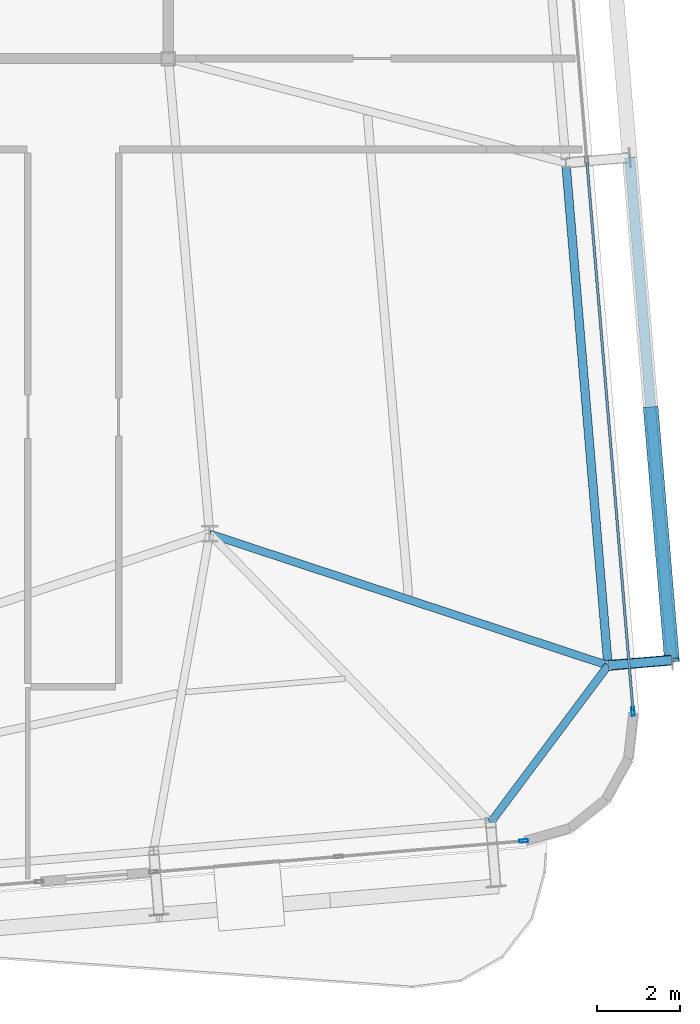
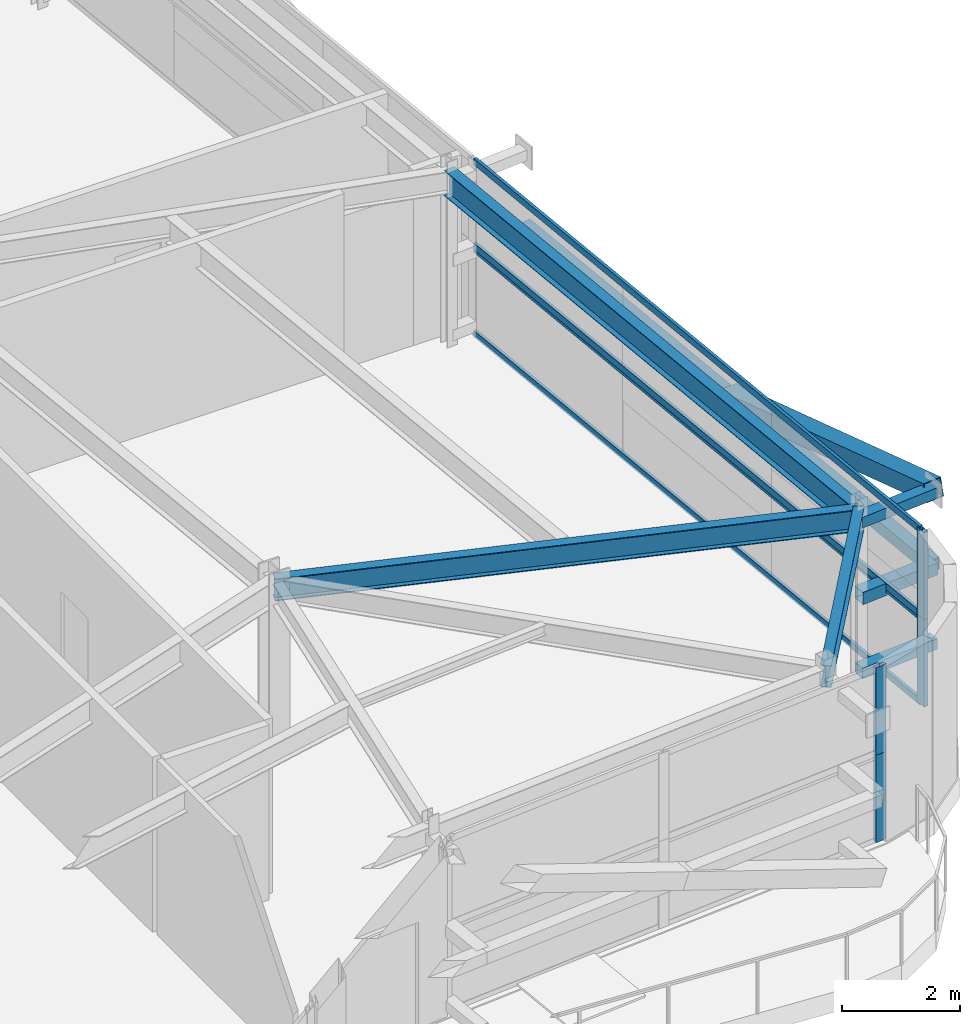
# One storey, part 16 of 38: 13 members, 3 beams, 4 elements without a shape of their own.
"""IFC4 building model written with IfcOpenShell, lengths in metres."""

from ifc_helpers import new_model, si_unit, direction, frame, origin, origin_2d, place, context, subcontext, project, spatial, hollow_rectangle, i_section, extrude, source, transform, mapped, material, layer, layer_set, material_profile, profile_set, type_object, element, aggregate, save


model = new_model("IFC4")

# Units and contexts
model_context = context("Model", 3, precision=1e-05, world=origin(), true_north=direction((0.0, 1.0)))
body_context = subcontext(model_context, "Body", "Model", "MODEL_VIEW")
ifc_project = project(units=[si_unit("LENGTHUNIT", "METRE"), si_unit("AREAUNIT", "SQUARE_METRE"), si_unit("VOLUMEUNIT", "CUBIC_METRE"), si_unit("PLANEANGLEUNIT", "RADIAN"), si_unit("MASSUNIT", "GRAM", prefix="KILO")], contexts=[model_context])

# Site, building, storey
site_placement = place(None, origin())
site = spatial("IfcSite", under=ifc_project, at=site_placement, CompositionType="ELEMENT")
building_placement = place(site_placement, origin())
building = spatial("IfcBuilding", under=site, at=building_placement, Name="Taldren Reach Tower", CompositionType="ELEMENT")
storey_placement = place(building_placement, frame((0.0, 0.0, 168.699951171875)))
storey = spatial("IfcBuildingStorey", under=building, at=storey_placement, Name="L51", CompositionType="ELEMENT", Elevation=168.699951171875)

# Beams
ifc_material_1 = material(Name="Steel Gr 350 (350PLUS)", Category="steel")
ifc_material_profile_1 = material_profile(ifc_material_1, i_section(OverallWidth=0.18994140625, OverallDepth=0.4541015625, WebThickness=0.008544921875, FlangeThickness=0.0126953125, at=origin_2d()), Name="460UB67.1")
ifc_profile_set_1 = profile_set([ifc_material_profile_1], Name="Steel Gr 350 (350PLUS)")
beam_type_1 = type_object("IfcBeamType", Name="SP-UB460B", PredefinedType="SPANDREL", material=ifc_profile_set_1)
shared_shape_1 = source(origin(), body_context, "Body", "SweptSolid", [
    extrude(i_section(OverallWidth=0.18994140625, OverallDepth=0.4541015625, WebThickness=0.008544921875, FlangeThickness=0.0126953125, at=origin_2d()), origin(), (0.0, 0.0, 1.0), 4.746337890625),
])
beam_1_placement = place(storey_placement, frame((58.796142578125, 5.516357421875, 3.403076171875), z_axis=(0.598797715541, 0.800900303323, 0.0), x_axis=(-0.800900303323, 0.598797715541, 0.0)))
element("IfcBeam", 1, at=beam_1_placement, inside=storey, type_object=beam_type_1, Name="Perimeter spandrel B4 S6-E1 L51", PredefinedType="SPANDREL", context=body_context, shape_type="MappedRepresentation", body=[
    mapped(shared_shape_1, transform((0.0, 0.0, 0.0), scale=1.0)),
])
ifc_material_profile_2 = material_profile(ifc_material_1, i_section(OverallWidth=0.208984375, OverallDepth=0.528076171875, WebThickness=0.009521484375, FlangeThickness=0.01318359375, at=origin_2d()), Name="530UB82.0")
ifc_profile_set_2 = profile_set([ifc_material_profile_2], Name="Steel Gr 350 (350PLUS)")
beam_type_2 = type_object("IfcBeamType", Name="SP-UB530B", PredefinedType="SPANDREL", material=ifc_profile_set_2)
shared_shape_2 = source(origin(), body_context, "Body", "SweptSolid", [
    extrude(i_section(OverallWidth=0.208984375, OverallDepth=0.528076171875, WebThickness=0.009521484375, FlangeThickness=0.01318359375, at=origin_2d()), origin(), (0.0, 0.0, 1.0), 12.199951171875),
])
beam_2_placement = place(storey_placement, frame((61.63818359375, 9.317626953125, 3.365966796875), z_axis=(-0.083688038336, 0.996492003099, 0.0), x_axis=(-0.996492003099, -0.083688038336, 0.0)))
element("IfcBeam", 2, at=beam_2_placement, inside=storey, type_object=beam_type_2, Name="Perimeter spandrel B4 E1-E2 L51", PredefinedType="SPANDREL", context=body_context, shape_type="MappedRepresentation", body=[
    mapped(shared_shape_2, transform((0.0, 0.0, 0.0), scale=1.0)),
])
ifc_material_profile_3 = material_profile(ifc_material_1, i_section(OverallWidth=0.19091796875, OverallDepth=0.4599609375, WebThickness=0.010009765625, FlangeThickness=0.01611328125, at=origin_2d()), Name="460UB82.1")
ifc_profile_set_3 = profile_set([ifc_material_profile_3], Name="Steel Gr 350 (350PLUS)")
beam_type_3 = type_object("IfcBeamType", Name="BM-UB460A", PredefinedType="BEAM", material=ifc_profile_set_3)
shared_shape_3 = source(origin(), body_context, "Body", "SweptSolid", [
    extrude(i_section(OverallWidth=0.19091796875, OverallDepth=0.4599609375, WebThickness=0.010009765625, FlangeThickness=0.01611328125, at=origin_2d()), origin(), (0.0, 0.0, 1.0), 10.14990234375),
])
beam_3_placement = place(storey_placement, frame((52.0, 12.5, 3.400146484375), z_axis=(0.949576668396, -0.313534927619, 0.0), x_axis=(0.313534927619, 0.949576668396, 0.0)))
element("IfcBeam", 3, at=beam_3_placement, inside=storey, type_object=beam_type_3, Name="Primary floor girder B4-E1 L51", PredefinedType="BEAM", context=body_context, shape_type="MappedRepresentation", body=[
    mapped(shared_shape_3, transform((0.0, 0.0, 0.0), scale=1.0)),
])

# Members
ifc_material_2 = material(Name="Steel Gr 450 (C450L0)", Category="steel")
ifc_material_profile_4 = material_profile(ifc_material_2, hollow_rectangle(XDim=0.219970703125, YDim=0.219970703125, WallThickness=0.00830078125, at=origin_2d()), Name="220x220x8.2SHS")
ifc_profile_set_4 = profile_set([ifc_material_profile_4], Name="Steel Gr 450 (C450L0)")
member_type_1 = type_object("IfcMemberType", Name="MB-TIE219", PredefinedType="STRUT", material=ifc_profile_set_4)
shared_shape_4 = source(origin(), body_context, "Body", "SweptSolid", [
    extrude(hollow_rectangle(XDim=0.219970703125, YDim=0.219970703125, WallThickness=0.00830078125, at=origin_2d()), origin(), (0.0, 0.0, 1.0), 1.545166015625),
])
for number, where, z_axis, x_axis, name in (
    (4, (61.642822265625, 9.31787109375, 3.35009765625), (0.996487766615, 0.083738467783, 0.0), (-0.083738467783, 0.996487766615, 0.0), "Exoskeleton diaphragm tie strut B4-E1 L51"),
    (5, (61.642822265625, 9.31787109375, 0.219970703125), (0.996487766615, 0.083738467783, 0.0), (-0.083738467783, 0.996487766615, 0.0), "Exoskeleton base diaphragm tie strut B4-E1 L51"),
):
    element("IfcMember", number, at=place(storey_placement, frame(where, z_axis=z_axis, x_axis=x_axis)), inside=storey, type_object=member_type_1, Name=name, PredefinedType="STRUT", context=body_context, shape_type="MappedRepresentation", body=[
        mapped(shared_shape_4, transform((0.0, 0.0, 0.0), scale=1.0)),
    ])
ifc_material_profile_5 = material_profile(ifc_material_2, hollow_rectangle(XDim=0.360107421875, YDim=0.360107421875, WallThickness=0.0126953125, at=origin_2d()), Name="360x360x12.7SHS")
ifc_profile_set_5 = profile_set([ifc_material_profile_5], Name="Steel Gr 450 (C450L0)")
member_type_2 = type_object("IfcMemberType", Name="MB-EXO356", PredefinedType="BRACE", material=ifc_profile_set_5)
shared_shape_5 = source(origin(), body_context, "Body", "SweptSolid", [
    extrude(hollow_rectangle(XDim=0.360107421875, YDim=0.360107421875, WallThickness=0.0126953125, at=origin_2d()), origin(), (0.0, 0.0, 1.0), 6.297607421875),
])
member_1_placement = place(storey_placement, frame((62.672119140625, 15.52587890625, 1.78515625), z_axis=(0.081062906043, -0.965233971624, 0.248499869793), x_axis=(0.996492003099, 0.083688038336, 0.0)))
element("IfcMember", 6, at=member_1_placement, inside=storey, type_object=member_type_2, Name="Exoskeleton Diagrid Brace B4-E1 L51", PredefinedType="BRACE", context=body_context, shape_type="MappedRepresentation", body=[
    mapped(shared_shape_5, transform((0.0, 0.0, 0.0), scale=1.0)),
])
ifc_material_3 = material(Name="Steel Gr 350 (C350L0)", Category="steel")
ifc_material_profile_6 = material_profile(ifc_material_3, hollow_rectangle(XDim=0.25, YDim=0.25, WallThickness=0.010009765625, at=origin_2d()), Name="250x250x10.0SHS")
ifc_profile_set_6 = profile_set([ifc_material_profile_6], Name="Steel Gr 350 (C350L0)")
member_type_3 = type_object("IfcMemberType", Name="MB-POST250", PredefinedType="POST", material=ifc_profile_set_6)
shared_shape_6 = source(origin(), body_context, "Body", "SweptSolid", [
    extrude(hollow_rectangle(XDim=0.25, YDim=0.25, WallThickness=0.010009765625, at=origin_2d()), origin(), (0.0, 0.0, 1.0), 12.199951171875),
])
member_2_placement = place(storey_placement, frame((63.1826171875, 9.447265625, 1.78515625), z_axis=(-0.083668166953, 0.99649367175, 0.0), x_axis=(-0.99649367175, -0.083668166953, 0.0)))
element("IfcMember", 7, at=member_2_placement, inside=storey, type_object=member_type_3, Name="Exoskeleton mid-height ring chord B4-E1 L51", PredefinedType="POST", context=body_context, shape_type="MappedRepresentation", body=[
    mapped(shared_shape_6, transform((0.0, 0.0, 0.0), scale=1.0)),
])
shared_shape_7 = source(origin(), body_context, "Body", "SweptSolid", [
    extrude(hollow_rectangle(XDim=0.25, YDim=0.25, WallThickness=0.010009765625, at=origin_2d()), origin(), (0.0, 0.0, 1.0), 1.545166015625),
])
member_3_placement = place(storey_placement, frame((61.642822265625, 9.31787109375, 1.78515625), z_axis=(0.996487766615, 0.083738467783, 0.0), x_axis=(-0.083738467783, 0.996487766615, 0.0)))
element("IfcMember", 8, at=member_3_placement, inside=storey, type_object=member_type_3, Name="Exoskeleton mid-tier diaphragm tie B4-E1 L51", PredefinedType="POST", context=body_context, shape_type="MappedRepresentation", body=[
    mapped(shared_shape_7, transform((0.0, 0.0, 0.0), scale=1.0)),
])

# Curtain wall, member
ifc_material_4 = material(Name="Aluminium and Low-E Glass Unitised System", Category="aluminium")
ifc_layer = layer(ifc_material_4, 0.159912109375)
ifc_layer_set = layer_set([ifc_layer], Name="Aluminium and Low-E Glass Unitised System")
curtain_wall_type = type_object("IfcCurtainWallType", Name="CW-SYS-7", PredefinedType="NOTDEFINED", material=ifc_layer_set)
curtain_wall_1_placement = place(storey_placement, origin())
curtain_wall_1 = element("IfcCurtainWall", 9, at=curtain_wall_1_placement, inside=storey, type_object=curtain_wall_type, Name="Unitised curtain wall CW-L51-S2", PredefinedType="NOTDEFINED")
ifc_material_5 = material(Name="Anodised Aluminium 6063-T6", Category="aluminium")
ifc_material_profile_7 = material_profile(ifc_material_5, hollow_rectangle(XDim=0.074951171875, YDim=0.2099609375, WallThickness=0.00439453125, at=origin_2d()), Name="ALU-210x75x4.5RHS")
ifc_profile_set_7 = profile_set([ifc_material_profile_7], Name="Anodised Aluminium 6063-T6")
member_type_4 = type_object("IfcMemberType", Name="CW-MUL-200", PredefinedType="MULLION", material=ifc_profile_set_7)
shared_shape_8 = source(origin(), body_context, "Body", "SweptSolid", [
    extrude(hollow_rectangle(XDim=0.074951171875, YDim=0.2099609375, WallThickness=0.00439453125, at=origin_2d()), origin(), (0.0, 0.0, 1.0), 1.81494140625),
])
member_4_placement = place(storey_placement, frame((59.5986328125, 5.072021484375, 0.0), z_axis=(0.0, 0.0, 1.0), x_axis=(-0.083677853594, 0.996492858388, 0.0)))
member_4 = element("IfcMember", 10, at=member_4_placement, type_object=member_type_4, Name="CW-7 mullion 3", PredefinedType="MULLION", context=body_context, shape_type="MappedRepresentation", body=[
    mapped(shared_shape_8, transform((0.0, 0.0, 0.0), scale=1.0)),
])
aggregate(curtain_wall_1, [member_4])

curtain_wall_2_placement = place(storey_placement, origin())
curtain_wall_2 = element("IfcCurtainWall", 11, at=curtain_wall_2_placement, inside=storey, type_object=curtain_wall_type, Name="Unitised curtain wall CW-L51-E", PredefinedType="NOTDEFINED")
member_5_placement = place(storey_placement, frame((62.24365234375, 8.201904296875, 0.0), z_axis=(0.0, 0.0, 1.0), x_axis=(-0.996492847789, -0.083677979808, 0.0)))
member_5 = element("IfcMember", 12, at=member_5_placement, type_object=member_type_4, Name="CW-7 mullion 1", PredefinedType="MULLION", context=body_context, shape_type="MappedRepresentation", body=[
    mapped(shared_shape_8, transform((0.0, 0.0, 0.0), scale=1.0)),
])

curtain_wall_3_placement = place(storey_placement, origin())
curtain_wall_3 = element("IfcCurtainWall", 13, at=curtain_wall_3_placement, inside=storey, type_object=curtain_wall_type, Name="Unitised curtain wall CW-L51-S2-T2", PredefinedType="NOTDEFINED")
shared_shape_9 = source(origin(), body_context, "Body", "SweptSolid", [
    extrude(hollow_rectangle(XDim=0.074951171875, YDim=0.2099609375, WallThickness=0.00439453125, at=origin_2d()), origin(), (0.0, 0.0, 1.0), 1.815185546875),
])
member_6_placement = place(storey_placement, frame((59.5986328125, 5.072021484375, 1.81494140625), z_axis=(0.0, 0.0, 1.0), x_axis=(-0.083677853594, 0.996492858388, 0.0)))
member_6 = element("IfcMember", 14, at=member_6_placement, type_object=member_type_4, Name="CW-7 mullion 3", PredefinedType="MULLION", context=body_context, shape_type="MappedRepresentation", body=[
    mapped(shared_shape_9, transform((0.0, 0.0, 0.0), scale=1.0)),
])
aggregate(curtain_wall_3, [member_6])

curtain_wall_4_placement = place(storey_placement, origin())
curtain_wall_4 = element("IfcCurtainWall", 15, at=curtain_wall_4_placement, inside=storey, type_object=curtain_wall_type, Name="Unitised curtain wall CW-L51-E-T2", PredefinedType="NOTDEFINED")
member_7_placement = place(storey_placement, frame((62.24365234375, 8.201904296875, 1.81494140625), z_axis=(0.0, 0.0, 1.0), x_axis=(-0.996492847789, -0.083677979808, 0.0)))
member_7 = element("IfcMember", 16, at=member_7_placement, type_object=member_type_4, Name="CW-7 mullion 1", PredefinedType="MULLION", context=body_context, shape_type="MappedRepresentation", body=[
    mapped(shared_shape_9, transform((0.0, 0.0, 0.0), scale=1.0)),
])

# Member
ifc_material_profile_8 = material_profile(ifc_material_5, hollow_rectangle(XDim=0.06005859375, YDim=0.135009765625, WallThickness=0.00341796875, at=origin_2d()), Name="ALU-135x60x3.5RHS")
ifc_profile_set_8 = profile_set([ifc_material_profile_8], Name="Anodised Aluminium 6063-T6")
member_type_5 = type_object("IfcMemberType", Name="CW-TRN-150", PredefinedType="USERDEFINED", material=ifc_profile_set_8)
shared_shape_10 = source(origin(), body_context, "Body", "SweptSolid", [
    extrude(hollow_rectangle(XDim=0.06005859375, YDim=0.135009765625, WallThickness=0.00341796875, at=origin_2d()), origin(), (0.0, 0.0, 1.0), 13.28759765625),
])
member_8_placement = place(storey_placement, frame((62.240478515625, 8.2392578125, 0.030029296875), z_axis=(-0.083673460991, 0.996493227235, 0.0), x_axis=(-0.996493227235, -0.083673460991, 0.0)))
member_8 = element("IfcMember", 17, at=member_8_placement, type_object=member_type_5, Name="CW-7 transom 1.1", ObjectType="TRANSOM", PredefinedType="USERDEFINED", context=body_context, shape_type="MappedRepresentation", body=[
    mapped(shared_shape_10, transform((0.0, 0.0, 0.0), scale=1.0)),
])

member_9_placement = place(storey_placement, frame((62.240478515625, 8.2392578125, 1.78515625), z_axis=(-0.083673460991, 0.996493227235, 0.0), x_axis=(-0.996493227235, -0.083673460991, 0.0)))
member_9 = element("IfcMember", 18, at=member_9_placement, type_object=member_type_5, Name="CW-7 transom 1.2", ObjectType="TRANSOM", PredefinedType="USERDEFINED", context=body_context, shape_type="MappedRepresentation", body=[
    mapped(shared_shape_10, transform((0.0, 0.0, 0.0), scale=1.0)),
])

aggregate(curtain_wall_2, [member_5, member_8, member_9])

member_10_placement = place(storey_placement, frame((62.240478515625, 8.2392578125, 1.844970703125), z_axis=(-0.083673460991, 0.996493227235, 0.0), x_axis=(-0.996493227235, -0.083673460991, 0.0)))
member_10 = element("IfcMember", 19, at=member_10_placement, type_object=member_type_5, Name="CW-7 transom 1.1", ObjectType="TRANSOM", PredefinedType="USERDEFINED", context=body_context, shape_type="MappedRepresentation", body=[
    mapped(shared_shape_10, transform((0.0, 0.0, 0.0), scale=1.0)),
])

member_11_placement = place(storey_placement, frame((62.240478515625, 8.2392578125, 3.60009765625), z_axis=(-0.083673460991, 0.996493227235, 0.0), x_axis=(-0.996493227235, -0.083673460991, 0.0)))
member_11 = element("IfcMember", 20, at=member_11_placement, type_object=member_type_5, Name="CW-7 transom 1.2", ObjectType="TRANSOM", PredefinedType="USERDEFINED", context=body_context, shape_type="MappedRepresentation", body=[
    mapped(shared_shape_10, transform((0.0, 0.0, 0.0), scale=1.0)),
])

aggregate(curtain_wall_4, [member_7, member_10, member_11])

save(model, "model.ifc")
